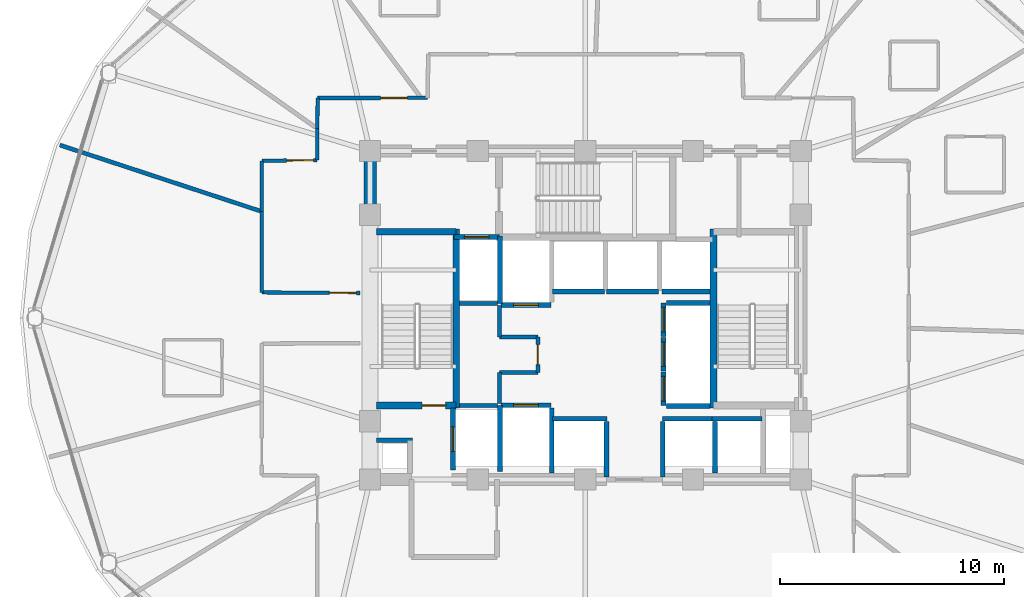
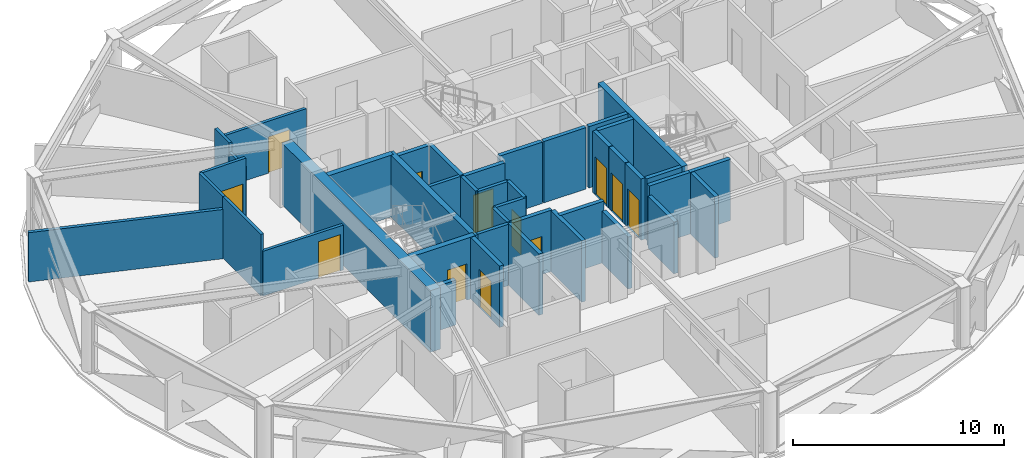
# One storey, part 23 of 29: 42 walls, 12 doors, 12 openings.
"""IFC4 building model written with IfcOpenShell, lengths in metres."""

from ifc_helpers import new_model, si_unit, direction, frame, frame_2d, origin, place, context, subcontext, project, spatial, rectangle, extrude, material, layer, layer_set, type_object, element, fill, save


model = new_model("IFC4")

# Units and contexts
model_context = context("Model", 3, precision=1e-05, world=origin(), true_north=direction((0.0, 1.0)))
body_context = subcontext(model_context, "Body", "Model", "MODEL_VIEW")
ifc_project = project(units=[si_unit("LENGTHUNIT", "METRE"), si_unit("AREAUNIT", "SQUARE_METRE"), si_unit("VOLUMEUNIT", "CUBIC_METRE"), si_unit("PLANEANGLEUNIT", "RADIAN"), si_unit("MASSUNIT", "GRAM", prefix="KILO")], contexts=[model_context])

# Site, building, storey
site_placement = place(None, origin())
site = spatial("IfcSite", under=ifc_project, at=site_placement, CompositionType="ELEMENT")
building_placement = place(site_placement, origin())
building = spatial("IfcBuilding", under=site, at=building_placement, Name="Vantalir Tower", CompositionType="ELEMENT")
storey_placement = place(building_placement, frame((0.0, 0.0, 168.449951171875)))
storey = spatial("IfcBuildingStorey", under=building, at=storey_placement, Name="L42", CompositionType="ELEMENT", Elevation=168.449951171875)

# Wall
ifc_material_1 = material(Name="Concrete C60/75", Category="concrete")
ifc_layer_1 = layer(ifc_material_1, 0.550048828125)
ifc_layer_set_1 = layer_set([ifc_layer_1], Name="Concrete C60/75")
wall_type_1 = type_object("IfcWallType", Name="WL-CORE-550", PredefinedType="SHEAR", material=ifc_layer_set_1)
wall_1_placement = place(storey_placement, frame((21.89990234375, 18.074951171875, 0.0), z_axis=(0.0, 0.0, 1.0), x_axis=(0.0, 1.0, 0.0)))
element("IfcWall", 1, at=wall_1_placement, inside=storey, type_object=wall_type_1, Name="L42 Core Shear Wall West", PredefinedType="SHEAR", context=body_context, shape_type="SweptSolid", body=[
    extrude(rectangle(XDim=14.10009765625, YDim=0.550048828125, at=frame_2d((7.050048828125, 0.0))), origin(), (0.0, 0.0, 1.0), 3.570068359375),
])

# Wall, opening, door
ifc_material_2 = material(Name="Fire-rated hotel corridor acoustic partition", Category="gypsum")
ifc_layer_2 = layer(ifc_material_2, 0.159912109375)
ifc_layer_set_2 = layer_set([ifc_layer_2], Name="Fire-rated hotel corridor acoustic partition")
wall_type_2 = type_object("IfcWallType", Name="WL-CORR-160", PredefinedType="PARTITIONING", material=ifc_layer_set_2)
wall_2_placement = place(storey_placement, frame((21.445068359375, 26.115966796875, 0.0), z_axis=(0.0, 0.0, 1.0), x_axis=(-0.99998212632, 0.005978882852, 0.0)))
wall_2 = element("IfcWall", 2, at=wall_2_placement, inside=storey, type_object=wall_type_2, Name="L42 Corridor Partition 01", PredefinedType="PARTITIONING", context=body_context, shape_type="SweptSolid", body=[
    extrude(rectangle(XDim=4.369140625, YDim=0.159912109375, at=frame_2d((2.1845703125, 0.0))), origin(), (0.0, 0.0, 1.0), 2.594970703125),
])
opening_1_placement = place(wall_2_placement, frame((0.159912109375, 0.0, 0.0)))
opening_1 = element("IfcOpeningElement", 3, at=opening_1_placement, cuts=wall_2, Name="Opening D-STE", PredefinedType="OPENING", context=body_context, shape_type="SweptSolid", body=[
    extrude(rectangle(XDim=1.199951171875, YDim=2.10009765625, at=frame_2d((0.60009765625, 1.050048828125))), frame((0.0, 0.08984375, 0.0), z_axis=(0.0, -1.0, 0.0), x_axis=(1.0, 0.0, 0.0)), (0.0, 0.0, 1.0), 0.179931640625),
])
ifc_material_3 = material(Name="Solid-core teak veneer suite entrance door", Category="wood")
door_type_1 = type_object("IfcDoorType", Name="DR-SUITE-ENTRY-1200", OperationType="NOTDEFINED", PredefinedType="DOOR", material=ifc_material_3)
door_1_placement = place(opening_1_placement, origin())
door_1 = element("IfcDoor", 4, at=door_1_placement, inside=storey, type_object=door_type_1, Name="L42 Corner Panorama Hotel Suite 07 Door", OperationType="SINGLE_SWING_LEFT", OverallHeight=2.10009765625, OverallWidth=1.199951171875, PredefinedType="DOOR", context=body_context, shape_type="SweptSolid", body=[
    extrude(rectangle(XDim=1.199951171875, YDim=2.10009765625, at=frame_2d((0.60009765625, 1.050048828125))), frame((0.0, 0.02490234375, 0.0), z_axis=(0.0, -1.0, 0.0), x_axis=(1.0, 0.0, 0.0)), (0.0, 0.0, 1.0), 0.050048828125),
])
fill(opening_1, door_1)

# Walls
wall_3_placement = place(storey_placement, frame((17.075927734375, 26.14208984375, 0.0), z_axis=(0.0, 0.0, 1.0), x_axis=(0.0, 1.0, 0.0)))
element("IfcWall", 5, at=wall_3_placement, inside=storey, type_object=wall_type_2, Name="L42 Corridor Partition 02", PredefinedType="PARTITIONING", context=body_context, shape_type="SweptSolid", body=[
    extrude(rectangle(XDim=3.60595703125, YDim=0.159912109375, at=frame_2d((1.802978515625, 0.0))), origin(), (0.0, 0.0, 1.0), 3.550048828125),
])
wall_4_placement = place(storey_placement, frame((17.075927734375, 29.748046875, 0.0), z_axis=(0.0, 0.0, 1.0), x_axis=(0.000431359822, 0.999999906964, 0.0)))
element("IfcWall", 6, at=wall_4_placement, inside=storey, type_object=wall_type_2, Name="L42 Corridor Partition 03", PredefinedType="PARTITIONING", context=body_context, shape_type="SweptSolid", body=[
    extrude(rectangle(XDim=2.263916015625, YDim=0.159912109375, at=frame_2d((1.1318359375, 0.0))), origin(), (0.0, 0.0, 1.0), 3.550048828125),
])

# Wall, opening, door
wall_5_placement = place(storey_placement, frame((17.076904296875, 32.011962890625, 0.0), z_axis=(0.0, 0.0, 1.0), x_axis=(0.999934771592, 0.011421583108, 0.0)))
wall_5 = element("IfcWall", 7, at=wall_5_placement, inside=storey, type_object=wall_type_2, Name="L42 Corridor Partition 04", PredefinedType="PARTITIONING", context=body_context, shape_type="SweptSolid", body=[
    extrude(rectangle(XDim=2.458251953125, YDim=0.159912109375, at=frame_2d((1.22900390625, 0.0))), origin(), (0.0, 0.0, 1.0), 3.550048828125),
])
opening_2_placement = place(wall_5_placement, frame((1.097900390625, 0.0, 0.0)))
opening_2 = element("IfcOpeningElement", 8, at=opening_2_placement, cuts=wall_5, Name="Opening D-STE", PredefinedType="OPENING", context=body_context, shape_type="SweptSolid", body=[
    extrude(rectangle(XDim=1.199951171875, YDim=2.10009765625, at=frame_2d((0.60009765625, 1.050048828125))), frame((0.0, 0.08984375, 0.0), z_axis=(0.0, -1.0, 0.0), x_axis=(1.0, 0.0, 0.0)), (0.0, 0.0, 1.0), 0.179931640625),
])
door_2_placement = place(opening_2_placement, origin())
door_2 = element("IfcDoor", 9, at=door_2_placement, inside=storey, type_object=door_type_1, Name="L42 Executive Sky Boardroom 06 Door", OperationType="SINGLE_SWING_RIGHT", OverallHeight=2.10009765625, OverallWidth=1.199951171875, PredefinedType="DOOR", context=body_context, shape_type="SweptSolid", body=[
    extrude(rectangle(XDim=1.199951171875, YDim=2.10009765625, at=frame_2d((0.60009765625, 1.050048828125))), frame((0.0, 0.02490234375, 0.0), z_axis=(0.0, -1.0, 0.0), x_axis=(1.0, 0.0, 0.0)), (0.0, 0.0, 1.0), 0.050048828125),
])
fill(opening_2, door_2)

# Walls
wall_6_placement = place(storey_placement, frame((19.534912109375, 32.0400390625, 0.0), z_axis=(0.0, 0.0, 1.0), x_axis=(0.009382732056, 0.999955981201, 0.0)))
element("IfcWall", 10, at=wall_6_placement, inside=storey, type_object=wall_type_2, Name="L42 Corridor Partition 05", PredefinedType="PARTITIONING", context=body_context, shape_type="SweptSolid", body=[
    extrude(rectangle(XDim=1.405029296875, YDim=0.159912109375, at=frame_2d((0.70263671875, 0.0))), origin(), (0.0, 0.0, 1.0), 3.006103515625),
])
wall_7_placement = place(storey_placement, frame((19.548095703125, 33.445068359375, 0.0), z_axis=(0.0, 0.0, 1.0), x_axis=(0.008751227658, 0.999961707274, 0.0)))
element("IfcWall", 11, at=wall_7_placement, inside=storey, type_object=wall_type_2, Name="L42 Corridor Partition 06", PredefinedType="PARTITIONING", context=body_context, shape_type="SweptSolid", body=[
    extrude(rectangle(XDim=1.366943359375, YDim=0.159912109375, at=frame_2d((0.68359375, 0.0))), origin(), (0.0, 0.0, 1.0), 3.550048828125),
])

# Wall, opening, door
wall_8_placement = place(storey_placement, frame((19.56005859375, 34.81201171875, 0.0), z_axis=(0.0, 0.0, 1.0), x_axis=(0.999999821253, 0.000597907217, 0.0)))
wall_8 = element("IfcWall", 12, at=wall_8_placement, inside=storey, type_object=wall_type_2, Name="L42 Corridor Partition 07", PredefinedType="PARTITIONING", context=body_context, shape_type="SweptSolid", body=[
    extrude(rectangle(XDim=4.89990234375, YDim=0.159912109375, at=frame_2d((2.449951171875, 0.0))), origin(), (0.0, 0.0, 1.0), 3.006103515625),
])
opening_3_placement = place(wall_8_placement, frame((2.804931640625, 0.0, 0.0)))
opening_3 = element("IfcOpeningElement", 13, at=opening_3_placement, cuts=wall_8, Name="Opening D-STE", PredefinedType="OPENING", context=body_context, shape_type="SweptSolid", body=[
    extrude(rectangle(XDim=1.199951171875, YDim=2.10009765625, at=frame_2d((0.60009765625, 1.050048828125))), frame((0.0, 0.08984375, 0.0), z_axis=(0.0, -1.0, 0.0), x_axis=(1.0, 0.0, 0.0)), (0.0, 0.0, 1.0), 0.179931640625),
])
door_3_placement = place(opening_3_placement, origin())
door_3 = element("IfcDoor", 14, at=door_3_placement, inside=storey, type_object=door_type_1, Name="L42 Club Reading Lounge 05 Door", OperationType="SINGLE_SWING_LEFT", OverallHeight=2.10009765625, OverallWidth=1.199951171875, PredefinedType="DOOR", context=body_context, shape_type="SweptSolid", body=[
    extrude(rectangle(XDim=1.199951171875, YDim=2.10009765625, at=frame_2d((0.60009765625, 1.050048828125))), frame((0.0, 0.02490234375, 0.0), z_axis=(0.0, -1.0, 0.0), x_axis=(1.0, 0.0, 0.0)), (0.0, 0.0, 1.0), 0.050048828125),
])
fill(opening_3, door_3)

# Walls
ifc_material_4 = material(Name="Concrete blockwork with fireboard lining", Category="masonry")
ifc_layer_3 = layer(ifc_material_4, 0.219970703125)
ifc_layer_set_3 = layer_set([ifc_layer_3], Name="Concrete blockwork with fireboard lining")
wall_type_3 = type_object("IfcWallType", Name="WL-FFL-220", PredefinedType="PARTITIONING", material=ifc_layer_set_3)
wall_9_placement = place(storey_placement, frame((30.0, 18.080078125, 0.0), z_axis=(0.0, 0.0, 1.0), x_axis=(0.0, 1.0, 0.0)))
element("IfcWall", 15, at=wall_9_placement, inside=storey, type_object=wall_type_3, Name="L42 Service Lift SV1 East Shaft Wall", PredefinedType="PARTITIONING", context=body_context, shape_type="SweptSolid", body=[
    extrude(rectangle(XDim=2.89990234375, YDim=0.219970703125, at=frame_2d((1.449951171875, 0.0))), origin(), (0.0, 0.0, 1.0), 3.545166015625),
])
for number, where, z_axis, x_axis, name in (
    (16, (32.449951171875, 17.919921875, 0.0), (0.0, 0.0, 1.0), (0.0, 1.0, 0.0), "L42 Shuttle Lift PL-X1 East Shaft Cheek"),
    (17, (34.949951171875, 17.919921875, 0.0), (0.0, 0.0, 1.0), (0.0, 1.0, 0.0), "L42 Shuttle Lift PL-X3 West Shaft Cheek"),
):
    element("IfcWall", number, at=place(storey_placement, frame(where, z_axis=z_axis, x_axis=x_axis)), inside=storey, type_object=wall_type_3, Name=name, PredefinedType="PARTITIONING", context=body_context, shape_type="SweptSolid", body=[
        extrude(rectangle(XDim=2.469970703125, YDim=0.219970703125, at=frame_2d((1.23486328125, 0.0))), origin(), (0.0, 0.0, 1.0), 3.006103515625),
    ])
wall_10_placement = place(storey_placement, frame((37.27490234375, 18.080078125, 0.0), z_axis=(0.0, 0.0, 1.0), x_axis=(0.0, 1.0, 0.0)))
element("IfcWall", 18, at=wall_10_placement, inside=storey, type_object=wall_type_3, Name="L42 Shuttle Lift PL-X2/X3 Shaft Divider", PredefinedType="PARTITIONING", context=body_context, shape_type="SweptSolid", body=[
    extrude(rectangle(XDim=2.309814453125, YDim=0.219970703125, at=frame_2d((1.15478515625, 0.0))), origin(), (0.0, 0.0, 1.0), 3.545166015625),
])
wall_11_placement = place(storey_placement, frame((34.909912109375, 26.18994140625, 0.0), z_axis=(0.0, 0.0, 1.0), x_axis=(1.0, 0.0, 0.0)))
element("IfcWall", 19, at=wall_11_placement, inside=storey, type_object=wall_type_3, Name="L42 High-Rise Lift PL-H3 Rear Shaft Wall", PredefinedType="PARTITIONING", context=body_context, shape_type="SweptSolid", body=[
    extrude(rectangle(XDim=2.14013671875, YDim=0.219970703125, at=frame_2d((1.070068359375, 0.0))), origin(), (0.0, 0.0, 1.0), 3.545166015625),
])
wall_12_placement = place(storey_placement, frame((22.175048828125, 19.550048828125, 0.0), z_axis=(0.0, 0.0, 1.0), x_axis=(1.0, 0.0, 0.0)))
element("IfcWall", 20, at=wall_12_placement, inside=storey, type_object=wall_type_3, Name="L42 West MEP Riser Wall N", PredefinedType="PARTITIONING", context=body_context, shape_type="SweptSolid", body=[
    extrude(rectangle(XDim=1.614990234375, YDim=0.219970703125, at=frame_2d((0.8076171875, 0.0))), origin(), (0.0, 0.0, 1.0), 2.594970703125),
])

# Wall, opening, door
wall_13_placement = place(storey_placement, frame((25.590087890625, 18.219970703125, 0.0), z_axis=(0.0, 0.0, 1.0), x_axis=(0.0, 1.0, 0.0)))
wall_13 = element("IfcWall", 21, at=wall_13_placement, inside=storey, type_object=wall_type_3, Name="L42 Lift FL1 Shaft Front Wall", PredefinedType="PARTITIONING", context=body_context, shape_type="SweptSolid", body=[
    extrude(rectangle(XDim=2.760009765625, YDim=0.219970703125, at=frame_2d((1.3798828125, 0.0))), origin(), (0.0, 0.0, 1.0), 3.550048828125),
])
opening_4_placement = place(wall_13_placement, frame((0.830078125, 0.0, 0.0)))
opening_4 = element("IfcOpeningElement", 22, at=opening_4_placement, cuts=wall_13, Name="Opening LD-FL1", PredefinedType="OPENING", context=body_context, shape_type="SweptSolid", body=[
    extrude(rectangle(XDim=1.10009765625, YDim=2.199951171875, at=frame_2d((0.550048828125, 1.10009765625))), frame((0.0, 0.119873046875, 0.0), z_axis=(0.0, -1.0, 0.0), x_axis=(1.0, 0.0, 0.0)), (0.0, 0.0, 1.0), 0.239990234375),
])
ifc_material_5 = material(Name="Brushed stainless-steel sliding lift landing door", Category="steel")
door_type_2 = type_object("IfcDoorType", Name="DR-LIFT-LANDING-1100", OperationType="DOUBLE_DOOR_SLIDING", PredefinedType="DOOR", material=ifc_material_5)
door_4_placement = place(opening_4_placement, origin())
door_4 = element("IfcDoor", 23, at=door_4_placement, inside=storey, type_object=door_type_2, Name="L42 Lift Landing Door FL1", OperationType="DOUBLE_DOOR_SLIDING", OverallHeight=2.199951171875, OverallWidth=1.10009765625, PredefinedType="DOOR", context=body_context, shape_type="SweptSolid", body=[
    extrude(rectangle(XDim=1.10009765625, YDim=2.199951171875, at=frame_2d((0.550048828125, 1.10009765625))), frame((0.0, 0.02490234375, 0.0), z_axis=(0.0, -1.0, 0.0), x_axis=(1.0, 0.0, 0.0)), (0.0, 0.0, 1.0), 0.050048828125),
])
fill(opening_4, door_4)

wall_14_placement = place(storey_placement, frame((25.639892578125, 28.610107421875, 0.0), z_axis=(0.0, 0.0, 1.0), x_axis=(1.0, 0.0, 0.0)))
wall_14 = element("IfcWall", 24, at=wall_14_placement, inside=storey, type_object=wall_type_3, Name="L42 Lift FL2 Shaft Front Wall", PredefinedType="PARTITIONING", context=body_context, shape_type="SweptSolid", body=[
    extrude(rectangle(XDim=2.02001953125, YDim=0.219970703125, at=frame_2d((1.010009765625, 0.0))), origin(), (0.0, 0.0, 1.0), 3.550048828125),
])
opening_5_placement = place(wall_14_placement, frame((0.4599609375, 0.0, 0.0)))
opening_5 = element("IfcOpeningElement", 25, at=opening_5_placement, cuts=wall_14, Name="Opening LD-FL2", PredefinedType="OPENING", context=body_context, shape_type="SweptSolid", body=[
    extrude(rectangle(XDim=1.10009765625, YDim=2.199951171875, at=frame_2d((0.550048828125, 1.10009765625))), frame((0.0, 0.119873046875, 0.0), z_axis=(0.0, -1.0, 0.0), x_axis=(1.0, 0.0, 0.0)), (0.0, 0.0, 1.0), 0.239990234375),
])
door_5_placement = place(opening_5_placement, origin())
door_5 = element("IfcDoor", 26, at=door_5_placement, inside=storey, type_object=door_type_2, Name="L42 Lift Landing Door FL2", OperationType="DOUBLE_DOOR_SLIDING", OverallHeight=2.199951171875, OverallWidth=1.10009765625, PredefinedType="DOOR", context=body_context, shape_type="SweptSolid", body=[
    extrude(rectangle(XDim=1.10009765625, YDim=2.199951171875, at=frame_2d((0.550048828125, 1.10009765625))), frame((0.0, 0.02490234375, 0.0), z_axis=(0.0, -1.0, 0.0), x_axis=(1.0, 0.0, 0.0)), (0.0, 0.0, 1.0), 0.050048828125),
])
fill(opening_5, door_5)

wall_15_placement = place(storey_placement, frame((27.739990234375, 21.110107421875, 0.0), z_axis=(0.0, 0.0, 1.0), x_axis=(1.0, 0.0, 0.0)))
wall_15 = element("IfcWall", 27, at=wall_15_placement, inside=storey, type_object=wall_type_3, Name="L42 Lift SV1 Shaft Front Wall", PredefinedType="PARTITIONING", context=body_context, shape_type="SweptSolid", body=[
    extrude(rectangle(XDim=2.219970703125, YDim=0.219970703125, at=frame_2d((1.10986328125, 0.0))), origin(), (0.0, 0.0, 1.0), 3.550048828125),
])
opening_6_placement = place(wall_15_placement, frame((0.56005859375, 0.0, 0.0)))
opening_6 = element("IfcOpeningElement", 28, at=opening_6_placement, cuts=wall_15, Name="Opening LD-SV1", PredefinedType="OPENING", context=body_context, shape_type="SweptSolid", body=[
    extrude(rectangle(XDim=1.10009765625, YDim=2.199951171875, at=frame_2d((0.550048828125, 1.10009765625))), frame((0.0, 0.119873046875, 0.0), z_axis=(0.0, -1.0, 0.0), x_axis=(1.0, 0.0, 0.0)), (0.0, 0.0, 1.0), 0.239990234375),
])
door_6_placement = place(opening_6_placement, origin())
door_6 = element("IfcDoor", 29, at=door_6_placement, inside=storey, type_object=door_type_2, Name="L42 Lift Landing Door SV1", OperationType="DOUBLE_DOOR_SLIDING", OverallHeight=2.199951171875, OverallWidth=1.10009765625, PredefinedType="DOOR", context=body_context, shape_type="SweptSolid", body=[
    extrude(rectangle(XDim=1.10009765625, YDim=2.199951171875, at=frame_2d((0.550048828125, 1.10009765625))), frame((0.0, 0.02490234375, 0.0), z_axis=(0.0, -1.0, 0.0), x_axis=(1.0, 0.0, 0.0)), (0.0, 0.0, 1.0), 0.050048828125),
])
fill(opening_6, door_6)

wall_16_placement = place(storey_placement, frame((27.739990234375, 25.590087890625, 0.0), z_axis=(0.0, 0.0, 1.0), x_axis=(1.0, 0.0, 0.0)))
wall_16 = element("IfcWall", 30, at=wall_16_placement, inside=storey, type_object=wall_type_3, Name="L42 Lift SV2 Shaft Front Wall", PredefinedType="PARTITIONING", context=body_context, shape_type="SweptSolid", body=[
    extrude(rectangle(XDim=2.219970703125, YDim=0.219970703125, at=frame_2d((1.10986328125, 0.0))), origin(), (0.0, 0.0, 1.0), 3.550048828125),
])
opening_7_placement = place(wall_16_placement, frame((0.56005859375, 0.0, 0.0)))
opening_7 = element("IfcOpeningElement", 31, at=opening_7_placement, cuts=wall_16, Name="Opening LD-SV2", PredefinedType="OPENING", context=body_context, shape_type="SweptSolid", body=[
    extrude(rectangle(XDim=1.10009765625, YDim=2.199951171875, at=frame_2d((0.550048828125, 1.10009765625))), frame((0.0, 0.119873046875, 0.0), z_axis=(0.0, -1.0, 0.0), x_axis=(1.0, 0.0, 0.0)), (0.0, 0.0, 1.0), 0.239990234375),
])
door_7_placement = place(opening_7_placement, frame((1.10009765625, 0.0, 0.0), z_axis=(0.0, 0.0, 1.0), x_axis=(-1.0, 0.0, 0.0)))
door_7 = element("IfcDoor", 32, at=door_7_placement, inside=storey, type_object=door_type_2, Name="L42 Lift Landing Door SV2", OperationType="DOUBLE_DOOR_SLIDING", OverallHeight=2.199951171875, OverallWidth=1.10009765625, PredefinedType="DOOR", context=body_context, shape_type="SweptSolid", body=[
    extrude(rectangle(XDim=1.10009765625, YDim=2.199951171875, at=frame_2d((0.550048828125, 1.10009765625))), frame((0.0, 0.02490234375, 0.0), z_axis=(0.0, -1.0, 0.0), x_axis=(1.0, 0.0, 0.0)), (0.0, 0.0, 1.0), 0.050048828125),
])
fill(opening_7, door_7)

# Walls
wall_17_placement = place(storey_placement, frame((30.0400390625, 20.510009765625, 0.0), z_axis=(0.0, 0.0, 1.0), x_axis=(1.0, 0.0, 0.0)))
element("IfcWall", 33, at=wall_17_placement, inside=storey, type_object=wall_type_3, Name="L42 Lift PL-X1 Shaft Front Wall", PredefinedType="PARTITIONING", context=body_context, shape_type="SweptSolid", body=[
    extrude(rectangle(XDim=2.419921875, YDim=0.219970703125, at=frame_2d((1.2099609375, 0.0))), origin(), (0.0, 0.0, 1.0), 3.550048828125),
])
for number, where, z_axis, x_axis, name in (
    (34, (37.139892578125, 20.510009765625, 0.0), (0.0, 0.0, 1.0), (1.0, 0.0, 0.0), "L42 Lift PL-X2 Shaft Rear Wall"),
    (35, (34.93994140625, 20.510009765625, 0.0), (0.0, 0.0, 1.0), (1.0, 0.0, 0.0), "L42 Lift PL-X3 Shaft Front Wall"),
):
    element("IfcWall", number, at=place(storey_placement, frame(where, z_axis=z_axis, x_axis=x_axis)), inside=storey, type_object=wall_type_3, Name=name, PredefinedType="PARTITIONING", context=body_context, shape_type="SweptSolid", body=[
        extrude(rectangle(XDim=2.239990234375, YDim=0.219970703125, at=frame_2d((1.1201171875, 0.0))), origin(), (0.0, 0.0, 1.0), 3.550048828125),
    ])
for number, where, z_axis, x_axis, name in (
    (36, (30.0400390625, 26.18994140625, 0.0), (0.0, 0.0, 1.0), (1.0, 0.0, 0.0), "L42 Lift PL-H1 Shaft Front Wall"),
    (37, (32.43994140625, 26.18994140625, 0.0), (0.0, 0.0, 1.0), (1.0, 0.0, 0.0), "L42 Lift PL-H2 Shaft Front Wall"),
):
    element("IfcWall", number, at=place(storey_placement, frame(where, z_axis=z_axis, x_axis=x_axis)), inside=storey, type_object=wall_type_3, Name=name, PredefinedType="PARTITIONING", context=body_context, shape_type="SweptSolid", body=[
        extrude(rectangle(XDim=2.320068359375, YDim=0.219970703125, at=frame_2d((1.16015625, 0.0))), origin(), (0.0, 0.0, 1.0), 3.550048828125),
    ])

# Wall, opening, door
wall_18_placement = place(storey_placement, frame((34.989990234375, 21.10009765625, 0.0), z_axis=(0.0, 0.0, 1.0), x_axis=(0.0, 1.0, 0.0)))
wall_18 = element("IfcWall", 38, at=wall_18_placement, inside=storey, type_object=wall_type_3, Name="L42 Lift PL-M1 Shaft Front Wall", PredefinedType="PARTITIONING", context=body_context, shape_type="SweptSolid", body=[
    extrude(rectangle(XDim=1.5, YDim=0.219970703125, at=frame_2d((0.75, 0.0))), origin(), (0.0, 0.0, 1.0), 3.550048828125),
])
opening_8_placement = place(wall_18_placement, frame((0.199951171875, 0.0, 0.0)))
opening_8 = element("IfcOpeningElement", 39, at=opening_8_placement, cuts=wall_18, Name="Opening LD-PL-M1", PredefinedType="OPENING", context=body_context, shape_type="SweptSolid", body=[
    extrude(rectangle(XDim=1.10009765625, YDim=2.199951171875, at=frame_2d((0.550048828125, 1.10009765625))), frame((0.0, 0.119873046875, 0.0), z_axis=(0.0, -1.0, 0.0), x_axis=(1.0, 0.0, 0.0)), (0.0, 0.0, 1.0), 0.239990234375),
])
door_8_placement = place(opening_8_placement, origin())
door_8 = element("IfcDoor", 40, at=door_8_placement, inside=storey, type_object=door_type_2, Name="L42 Lift Landing Door PL-M1", OperationType="DOUBLE_DOOR_SLIDING", OverallHeight=2.199951171875, OverallWidth=1.10009765625, PredefinedType="DOOR", context=body_context, shape_type="SweptSolid", body=[
    extrude(rectangle(XDim=1.10009765625, YDim=2.199951171875, at=frame_2d((0.550048828125, 1.10009765625))), frame((0.0, 0.02490234375, 0.0), z_axis=(0.0, -1.0, 0.0), x_axis=(1.0, 0.0, 0.0)), (0.0, 0.0, 1.0), 0.050048828125),
])
fill(opening_8, door_8)

wall_19_placement = place(storey_placement, frame((34.989990234375, 22.639892578125, 0.0), z_axis=(0.0, 0.0, 1.0), x_axis=(0.0, 1.0, 0.0)))
wall_19 = element("IfcWall", 41, at=wall_19_placement, inside=storey, type_object=wall_type_3, Name="L42 Lift PL-M2 Shaft Front Wall", PredefinedType="PARTITIONING", context=body_context, shape_type="SweptSolid", body=[
    extrude(rectangle(XDim=1.5, YDim=0.219970703125, at=frame_2d((0.75, 0.0))), origin(), (0.0, 0.0, 1.0), 3.550048828125),
])
opening_9_placement = place(wall_19_placement, frame((0.199951171875, 0.0, 0.0)))
opening_9 = element("IfcOpeningElement", 42, at=opening_9_placement, cuts=wall_19, Name="Opening LD-PL-M2", PredefinedType="OPENING", context=body_context, shape_type="SweptSolid", body=[
    extrude(rectangle(XDim=1.10009765625, YDim=2.199951171875, at=frame_2d((0.550048828125, 1.10009765625))), frame((0.0, 0.119873046875, 0.0), z_axis=(0.0, -1.0, 0.0), x_axis=(1.0, 0.0, 0.0)), (0.0, 0.0, 1.0), 0.239990234375),
])
door_9_placement = place(opening_9_placement, origin())
door_9 = element("IfcDoor", 43, at=door_9_placement, inside=storey, type_object=door_type_2, Name="L42 Lift Landing Door PL-M2", OperationType="DOUBLE_DOOR_SLIDING", OverallHeight=2.199951171875, OverallWidth=1.10009765625, PredefinedType="DOOR", context=body_context, shape_type="SweptSolid", body=[
    extrude(rectangle(XDim=1.10009765625, YDim=2.199951171875, at=frame_2d((0.550048828125, 1.10009765625))), frame((0.0, 0.02490234375, 0.0), z_axis=(0.0, -1.0, 0.0), x_axis=(1.0, 0.0, 0.0)), (0.0, 0.0, 1.0), 0.050048828125),
])
fill(opening_9, door_9)

wall_20_placement = place(storey_placement, frame((34.989990234375, 24.179931640625, 0.0), z_axis=(0.0, 0.0, 1.0), x_axis=(0.0, 1.0, 0.0)))
wall_20 = element("IfcWall", 44, at=wall_20_placement, inside=storey, type_object=wall_type_3, Name="L42 Lift PL-M3 Shaft Front Wall", PredefinedType="PARTITIONING", context=body_context, shape_type="SweptSolid", body=[
    extrude(rectangle(XDim=1.5, YDim=0.219970703125, at=frame_2d((0.75, 0.0))), origin(), (0.0, 0.0, 1.0), 3.550048828125),
])
opening_10_placement = place(wall_20_placement, frame((0.199951171875, 0.0, 0.0)))
opening_10 = element("IfcOpeningElement", 45, at=opening_10_placement, cuts=wall_20, Name="Opening LD-PL-M3", PredefinedType="OPENING", context=body_context, shape_type="SweptSolid", body=[
    extrude(rectangle(XDim=1.10009765625, YDim=2.199951171875, at=frame_2d((0.550048828125, 1.10009765625))), frame((0.0, 0.119873046875, 0.0), z_axis=(0.0, -1.0, 0.0), x_axis=(1.0, 0.0, 0.0)), (0.0, 0.0, 1.0), 0.239990234375),
])
door_10_placement = place(opening_10_placement, origin())
door_10 = element("IfcDoor", 46, at=door_10_placement, inside=storey, type_object=door_type_2, Name="L42 Lift Landing Door PL-M3", OperationType="DOUBLE_DOOR_SLIDING", OverallHeight=2.199951171875, OverallWidth=1.10009765625, PredefinedType="DOOR", context=body_context, shape_type="SweptSolid", body=[
    extrude(rectangle(XDim=1.10009765625, YDim=2.199951171875, at=frame_2d((0.550048828125, 1.10009765625))), frame((0.0, 0.02490234375, 0.0), z_axis=(0.0, -1.0, 0.0), x_axis=(1.0, 0.0, 0.0)), (0.0, 0.0, 1.0), 0.050048828125),
])
fill(opening_10, door_10)

# Walls
wall_21_placement = place(storey_placement, frame((27.699951171875, 18.14990234375, 0.0), z_axis=(0.0, 0.0, 1.0), x_axis=(0.0, 1.0, 0.0)))
element("IfcWall", 47, at=wall_21_placement, inside=storey, type_object=wall_type_3, Name="L42 Fire Lift FL1 Dividing Wall", PredefinedType="PARTITIONING", context=body_context, shape_type="SweptSolid", body=[
    extrude(rectangle(XDim=2.9501953125, YDim=0.219970703125, at=frame_2d((1.47509765625, 0.0))), origin(), (0.0, 0.0, 1.0), 3.550048828125),
])
wall_22_placement = place(storey_placement, frame((27.699951171875, 25.64990234375, 0.0), z_axis=(0.0, 0.0, 1.0), x_axis=(0.0, 1.0, 0.0)))
element("IfcWall", 48, at=wall_22_placement, inside=storey, type_object=wall_type_3, Name="L42 Fire Lift FL2 Dividing Wall", PredefinedType="PARTITIONING", context=body_context, shape_type="SweptSolid", body=[
    extrude(rectangle(XDim=3.0, YDim=0.219970703125, at=frame_2d((1.5, 0.0))), origin(), (0.0, 0.0, 1.0), 3.550048828125),
])
for number, where, z_axis, x_axis, name in (
    (49, (35.1201171875, 21.080078125, 0.0), (0.0, 0.0, 1.0), (1.0, 0.0, 0.0), "L42 Mid-Rise Bank South Wall"),
    (50, (35.1201171875, 25.679931640625, 0.0), (0.0, 0.0, 1.0), (1.0, 0.0, 0.0), "L42 Mid-Rise Bank North Wall"),
):
    element("IfcWall", number, at=place(storey_placement, frame(where, z_axis=z_axis, x_axis=x_axis)), inside=storey, type_object=wall_type_3, Name=name, PredefinedType="PARTITIONING", context=body_context, shape_type="SweptSolid", body=[
        extrude(rectangle(XDim=1.93994140625, YDim=0.219970703125, at=frame_2d((0.969970703125, 0.0))), origin(), (0.0, 0.0, 1.0), 3.550048828125),
    ])
ifc_material_6 = material(Name="Twin-stud acoustic fire-rated gypsum partition", Category="gypsum")
ifc_layer_4 = layer(ifc_material_6, 0.179931640625)
ifc_layer_set_4 = layer_set([ifc_layer_4], Name="Twin-stud acoustic fire-rated gypsum partition")
wall_type_4 = type_object("IfcWallType", Name="WL-GUEST-180", PredefinedType="PARTITIONING", material=ifc_layer_set_4)
for number, where, z_axis, x_axis, name in (
    (51, (25.889892578125, 21.10009765625, 0.0), (0.0, 0.0, 1.0), (1.0, 0.0, 0.0), "L42 Freed West Core South Wall"),
    (52, (25.889892578125, 25.64990234375, 0.0), (0.0, 0.0, 1.0), (1.0, 0.0, 0.0), "L42 Freed West Core North Wall"),
):
    element("IfcWall", number, at=place(storey_placement, frame(where, z_axis=z_axis, x_axis=x_axis)), inside=storey, type_object=wall_type_4, Name=name, PredefinedType="PARTITIONING", context=body_context, shape_type="SweptSolid", body=[
        extrude(rectangle(XDim=1.7001953125, YDim=0.179931640625, at=frame_2d((0.85009765625, 0.0))), origin(), (0.0, 0.0, 1.0), 3.550048828125),
    ])
wall_23_placement = place(storey_placement, frame((27.679931640625, 21.18994140625, 0.0), z_axis=(0.0, 0.0, 1.0), x_axis=(0.0, 1.0, 0.0)))
element("IfcWall", 53, at=wall_23_placement, inside=storey, type_object=wall_type_4, Name="L42 West IT Room Lower East Wall", PredefinedType="PARTITIONING", context=body_context, shape_type="SweptSolid", body=[
    extrude(rectangle(XDim=1.39013671875, YDim=0.179931640625, at=frame_2d((0.695068359375, 0.0))), origin(), (0.0, 0.0, 1.0), 3.550048828125),
])
wall_24_placement = place(storey_placement, frame((27.679931640625, 22.580078125, 0.0), z_axis=(0.0, 0.0, 1.0), x_axis=(1.0, 0.0, 0.0)))
element("IfcWall", 54, at=wall_24_placement, inside=storey, type_object=wall_type_4, Name="L42 West IT Room Alcove South Wall", PredefinedType="PARTITIONING", context=body_context, shape_type="SweptSolid", body=[
    extrude(rectangle(XDim=1.699951171875, YDim=0.179931640625, at=frame_2d((0.85009765625, 0.0))), origin(), (0.0, 0.0, 1.0), 3.550048828125),
])

# Wall, opening, door
wall_25_placement = place(storey_placement, frame((29.3798828125, 22.580078125, 0.0), z_axis=(0.0, 0.0, 1.0), x_axis=(0.0, 1.0, 0.0)))
wall_25 = element("IfcWall", 55, at=wall_25_placement, inside=storey, type_object=wall_type_4, Name="L42 West IT Room Alcove East Wall", PredefinedType="PARTITIONING", context=body_context, shape_type="SweptSolid", body=[
    extrude(rectangle(XDim=1.579833984375, YDim=0.179931640625, at=frame_2d((0.7900390625, 0.0))), origin(), (0.0, 0.0, 1.0), 3.550048828125),
])
opening_11_placement = place(wall_25_placement, frame((0.340087890625, 0.0, 0.0)))
opening_11 = element("IfcOpeningElement", 56, at=opening_11_placement, cuts=wall_25, Name="Opening D-CR", PredefinedType="OPENING", context=body_context, shape_type="SweptSolid", body=[
    extrude(rectangle(XDim=0.89990234375, YDim=2.10009765625, at=frame_2d((0.449951171875, 1.050048828125))), frame((0.0, 0.099853515625, 0.0), z_axis=(0.0, -1.0, 0.0), x_axis=(1.0, 0.0, 0.0)), (0.0, 0.0, 1.0), 0.199951171875),
])
ifc_material_7 = material(Name="Fire-rated steel core service door", Category="steel")
door_type_3 = type_object("IfcDoorType", Name="DR-CORE-SERV-900", OperationType="NOTDEFINED", PredefinedType="DOOR", material=ifc_material_7)
door_11_placement = place(opening_11_placement, origin())
door_11 = element("IfcDoor", 57, at=door_11_placement, inside=storey, type_object=door_type_3, Name="L42 Core IT Comms Door", OperationType="SINGLE_SWING_RIGHT", OverallHeight=2.10009765625, OverallWidth=0.89990234375, PredefinedType="DOOR", context=body_context, shape_type="SweptSolid", body=[
    extrude(rectangle(XDim=0.89990234375, YDim=2.10009765625, at=frame_2d((0.449951171875, 1.050048828125))), frame((0.0, 0.02490234375, 0.0), z_axis=(0.0, -1.0, 0.0), x_axis=(1.0, 0.0, 0.0)), (0.0, 0.0, 1.0), 0.050048828125),
])
fill(opening_11, door_11)

# Walls
wall_26_placement = place(storey_placement, frame((27.679931640625, 24.159912109375, 0.0), z_axis=(0.0, 0.0, 1.0), x_axis=(1.0, 0.0, 0.0)))
element("IfcWall", 58, at=wall_26_placement, inside=storey, type_object=wall_type_4, Name="L42 West IT Room Alcove North Wall", PredefinedType="PARTITIONING", context=body_context, shape_type="SweptSolid", body=[
    extrude(rectangle(XDim=1.699951171875, YDim=0.179931640625, at=frame_2d((0.85009765625, 0.0))), origin(), (0.0, 0.0, 1.0), 3.550048828125),
])
wall_27_placement = place(storey_placement, frame((27.679931640625, 24.159912109375, 0.0), z_axis=(0.0, 0.0, 1.0), x_axis=(0.0, 1.0, 0.0)))
element("IfcWall", 59, at=wall_27_placement, inside=storey, type_object=wall_type_4, Name="L42 West IT Room Upper East Wall", PredefinedType="PARTITIONING", context=body_context, shape_type="SweptSolid", body=[
    extrude(rectangle(XDim=1.400146484375, YDim=0.179931640625, at=frame_2d((0.7001953125, 0.0))), origin(), (0.0, 0.0, 1.0), 3.550048828125),
])
wall_28_placement = place(storey_placement, frame((17.0, 29.77294921875, 0.0), z_axis=(0.0, 0.0, 1.0), x_axis=(-0.949880965401, 0.312611822502, 0.0)))
element("IfcWall", 60, at=wall_28_placement, inside=storey, type_object=wall_type_4, Name="L42 Radial Suite Partition 07", PredefinedType="PARTITIONING", context=body_context, shape_type="SweptSolid", body=[
    extrude(rectangle(XDim=9.404541015625, YDim=0.179931640625, at=frame_2d((4.7021484375, 0.0))), origin(), (0.0, 0.0, 1.0), 2.85205078125),
])

# Wall, opening, door
ifc_material_8 = material(Name="Concrete C50/60", Category="concrete")
ifc_layer_5 = layer(ifc_material_8, 0.300048828125)
ifc_layer_set_5 = layer_set([ifc_layer_5], Name="Concrete C50/60")
wall_type_5 = type_object("IfcWallType", Name="WL-STAIR-300", PredefinedType="SHEAR", material=ifc_layer_set_5)
wall_29_placement = place(storey_placement, frame((22.175048828125, 21.10009765625, 0.0), z_axis=(0.0, 0.0, 1.0), x_axis=(1.0, 0.0, 0.0)))
wall_29 = element("IfcWall", 61, at=wall_29_placement, inside=storey, type_object=wall_type_5, Name="L42 Stair ST1 South Wall", PredefinedType="SHEAR", context=body_context, shape_type="SweptSolid", body=[
    extrude(rectangle(XDim=3.56494140625, YDim=0.300048828125, at=frame_2d((1.782470703125, 0.0))), origin(), (0.0, 0.0, 1.0), 3.570068359375),
])
opening_12_placement = place(wall_29_placement, frame((2.044921875, 0.0, 0.0)))
opening_12 = element("IfcOpeningElement", 62, at=opening_12_placement, cuts=wall_29, Name="Opening D-ST", PredefinedType="OPENING", context=body_context, shape_type="SweptSolid", body=[
    extrude(rectangle(XDim=1.050048828125, YDim=2.10009765625, at=frame_2d((0.52490234375, 1.050048828125))), frame((0.0, 0.159912109375, 0.0), z_axis=(0.0, -1.0, 0.0), x_axis=(1.0, 0.0, 0.0)), (0.0, 0.0, 1.0), 0.320068359375),
])
ifc_material_9 = material(Name="Fire-rated steel door leaf", Category="steel")
door_type_4 = type_object("IfcDoorType", Name="DR-FIRE-STAIR-1050", OperationType="NOTDEFINED", PredefinedType="DOOR", material=ifc_material_9)
door_12_placement = place(opening_12_placement, origin())
door_12 = element("IfcDoor", 63, at=door_12_placement, inside=storey, type_object=door_type_4, Name="L42 Exit Stair ST1 Fire Door", OperationType="SINGLE_SWING_LEFT", OverallHeight=2.10009765625, OverallWidth=1.050048828125, PredefinedType="DOOR", context=body_context, shape_type="SweptSolid", body=[
    extrude(rectangle(XDim=1.050048828125, YDim=2.10009765625, at=frame_2d((0.52490234375, 1.050048828125))), frame((0.0, 0.02490234375, 0.0), z_axis=(0.0, -1.0, 0.0), x_axis=(1.0, 0.0, 0.0)), (0.0, 0.0, 1.0), 0.050048828125),
])
fill(opening_12, door_12)

# Walls
wall_30_placement = place(storey_placement, frame((22.175048828125, 28.85009765625, 0.0), z_axis=(0.0, 0.0, 1.0), x_axis=(1.0, 0.0, 0.0)))
element("IfcWall", 64, at=wall_30_placement, inside=storey, type_object=wall_type_5, Name="L42 Stair ST1 North Wall", PredefinedType="SHEAR", context=body_context, shape_type="SweptSolid", body=[
    extrude(rectangle(XDim=3.56494140625, YDim=0.300048828125, at=frame_2d((1.782470703125, 0.0))), origin(), (0.0, 0.0, 1.0), 3.570068359375),
])
for number, where, z_axis, x_axis, name in (
    (65, (25.739990234375, 20.97998046875, 0.0), (0.0, 0.0, 1.0), (0.0, 1.0, 0.0), "L42 Stair ST1 East Wall"),
    (66, (37.2099609375, 20.97998046875, 0.0), (0.0, 0.0, 1.0), (0.0, 1.0, 0.0), "L42 Stair ST2 West Wall"),
):
    element("IfcWall", number, at=place(storey_placement, frame(where, z_axis=z_axis, x_axis=x_axis)), inside=storey, type_object=wall_type_5, Name=name, PredefinedType="SHEAR", context=body_context, shape_type="SweptSolid", body=[
        extrude(rectangle(XDim=7.989990234375, YDim=0.300048828125, at=frame_2d((3.9951171875, 0.0))), origin(), (0.0, 0.0, 1.0), 3.570068359375),
    ])

save(model, "model.ifc")
